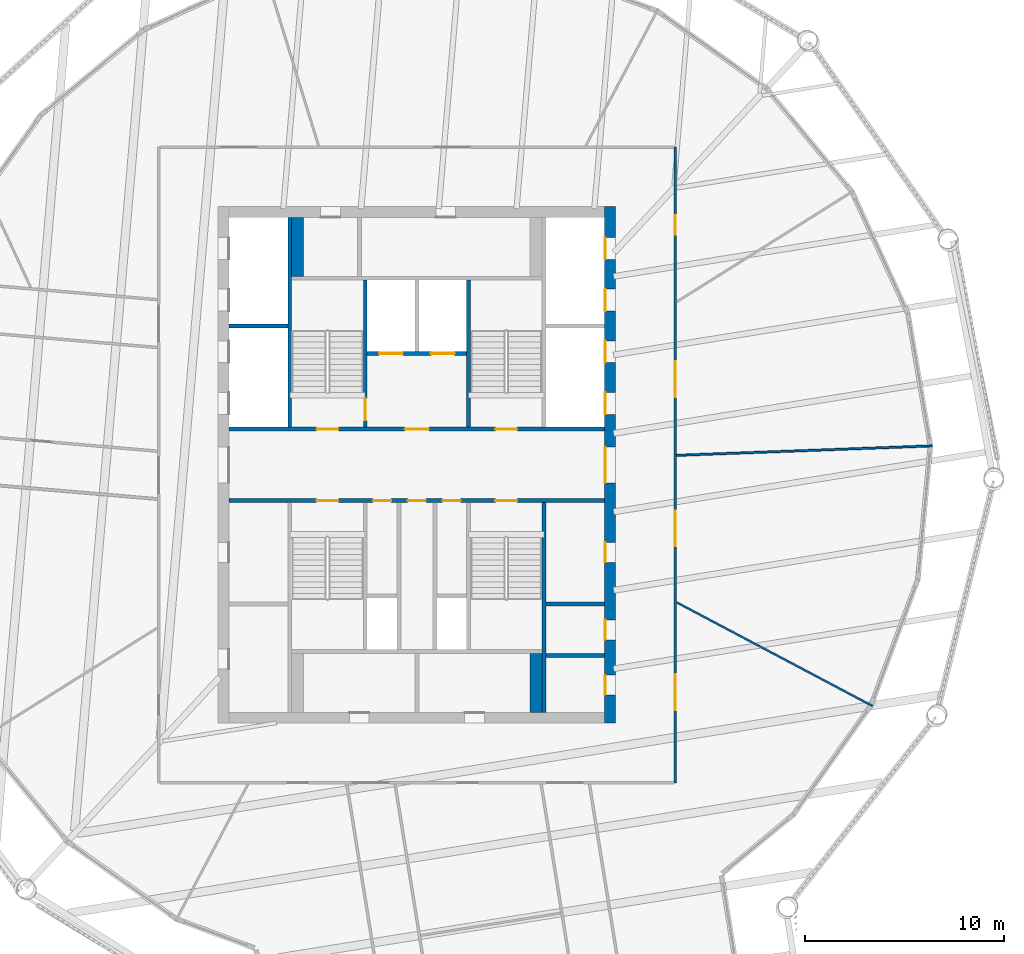
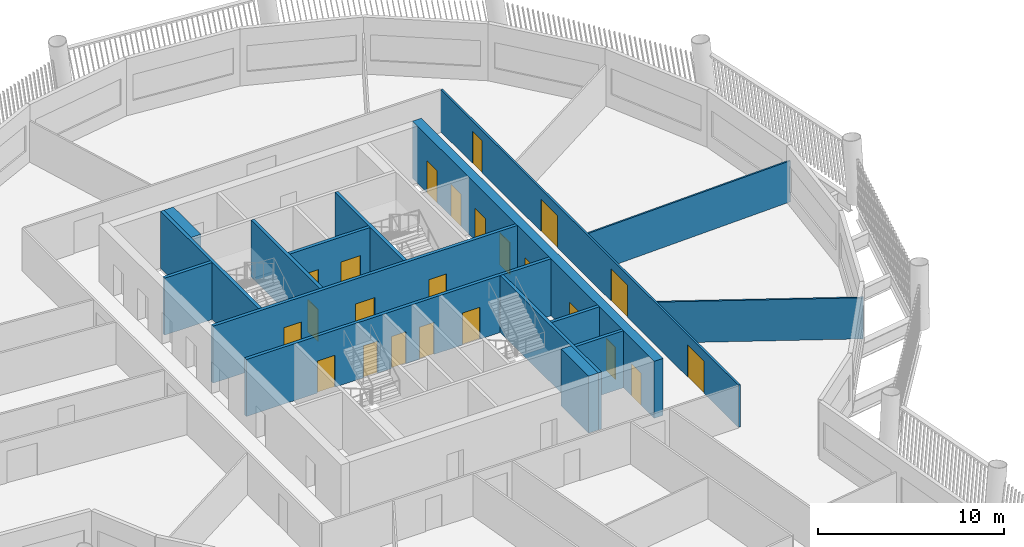
# One storey, part 5 of 14: 23 doors, 16 walls, 23 openings.
"""IFC4 building model written with IfcOpenShell, lengths in metres."""

from ifc_helpers import new_model, si_unit, direction, frame, frame_2d, origin, place, context, subcontext, project, spatial, rectangle, extrude, material, layer, layer_set, type_object, element, fill, save


model = new_model("IFC4")

# Units and contexts
model_context = context("Model", 3, precision=1e-05, world=origin(), true_north=direction((0.0, 1.0)))
body_context = subcontext(model_context, "Body", "Model", "MODEL_VIEW")
ifc_project = project(units=[si_unit("LENGTHUNIT", "METRE"), si_unit("AREAUNIT", "SQUARE_METRE"), si_unit("VOLUMEUNIT", "CUBIC_METRE"), si_unit("PLANEANGLEUNIT", "RADIAN"), si_unit("MASSUNIT", "GRAM", prefix="KILO")], contexts=[model_context])

# Site, building, storey
site_placement = place(None, origin())
site = spatial("IfcSite", under=ifc_project, at=site_placement, CompositionType="ELEMENT")
building_placement = place(site_placement, origin())
building = spatial("IfcBuilding", under=site, at=building_placement, Name="Tarsis Ring Headquarters", CompositionType="ELEMENT")
storey_placement = place(building_placement, frame((0.0, 0.0, 266.89990234375)))
storey = spatial("IfcBuildingStorey", under=building, at=storey_placement, Name="L62", CompositionType="ELEMENT", Elevation=266.89990234375)

# Walls
ifc_material_1 = material(Name="Blockwork", Category="masonry")
ifc_layer_1 = layer(ifc_material_1, 0.199951171875)
ifc_layer_set_1 = layer_set([ifc_layer_1], Name="Core blockwork wall 200")
wall_type_1 = type_object("IfcWallType", Name="Core blockwork wall 200", PredefinedType="PARTITIONING", material=ifc_layer_set_1)
for number, where, z_axis, x_axis, name in (
    (1, (6.5, -9.60009765625, 0.0), (0.0, 0.0, 1.0), (1.0, 0.0, 0.0), "Core partition ED1"),
    (2, (6.5, -7.0, 0.0), (0.0, 0.0, 1.0), (1.0, 0.0, 0.0), "Core partition ED2"),
):
    element("IfcWall", number, at=place(storey_placement, frame(where, z_axis=z_axis, x_axis=x_axis)), inside=storey, type_object=wall_type_1, Name=name, PredefinedType="PARTITIONING", context=body_context, shape_type="SweptSolid", body=[
        extrude(rectangle(XDim=2.949951171875, YDim=0.199951171875, at=frame_2d((1.47509765625, 0.0))), origin(), (0.0, 0.0, 1.0), 3.739990234375),
    ])

# Wall, openings, doors
ifc_material_2 = material(Name="Concrete C50/60", Category="concrete")
ifc_layer_2 = layer(ifc_material_2, 0.550048828125)
ifc_layer_set_2 = layer_set([ifc_layer_2], Name="Core wall 550 C50/60")
wall_type_2 = type_object("IfcWallType", Name="Core wall 550 C50/60", PredefinedType="SHEAR", material=ifc_layer_set_2)
wall_1_placement = place(storey_placement, frame((9.72509765625, -13.0, 0.0), z_axis=(0.0, 0.0, 1.0), x_axis=(0.0, 1.0, 0.0)))
wall_1 = element("IfcWall", 3, at=wall_1_placement, inside=storey, type_object=wall_type_2, Name="Core wall OE", PredefinedType="SHEAR", context=body_context, shape_type="SweptSolid", body=[
    extrude(rectangle(XDim=26.0, YDim=0.550048828125, at=frame_2d((13.0, 0.0))), origin(), (0.0, 0.0, 1.0), 3.739990234375),
])
opening_1_placement = place(wall_1_placement, frame((1.425048828125, 0.0, 0.0)))
opening_1 = element("IfcOpeningElement", 4, at=opening_1_placement, cuts=wall_1, Name="Opening L62-C08", PredefinedType="OPENING", context=body_context, shape_type="SweptSolid", body=[
    extrude(rectangle(XDim=1.0, YDim=2.10009765625, at=frame_2d((0.5, 1.050048828125))), frame((0.0, 0.284912109375, 0.0), z_axis=(0.0, -1.0, 0.0), x_axis=(1.0, 0.0, 0.0)), (0.0, 0.0, 1.0), 0.570068359375),
])
opening_2_placement = place(wall_1_placement, frame((4.199951171875, 0.0, 0.0)))
opening_2 = element("IfcOpeningElement", 5, at=opening_2_placement, cuts=wall_1, Name="Opening L62-C09", PredefinedType="OPENING", context=body_context, shape_type="SweptSolid", body=[
    extrude(rectangle(XDim=1.0, YDim=2.10009765625, at=frame_2d((0.5, 1.050048828125))), frame((0.0, 0.284912109375, 0.0), z_axis=(0.0, -1.0, 0.0), x_axis=(1.0, 0.0, 0.0)), (0.0, 0.0, 1.0), 0.570068359375),
])
opening_3_placement = place(wall_1_placement, frame((8.10009765625, 0.0, 0.0)))
opening_3 = element("IfcOpeningElement", 6, at=opening_3_placement, cuts=wall_1, Name="Opening L62-C10", PredefinedType="OPENING", context=body_context, shape_type="SweptSolid", body=[
    extrude(rectangle(XDim=1.0, YDim=2.10009765625, at=frame_2d((0.5, 1.050048828125))), frame((0.0, 0.284912109375, 0.0), z_axis=(0.0, -1.0, 0.0), x_axis=(1.0, 0.0, 0.0)), (0.0, 0.0, 1.0), 0.570068359375),
])
opening_4_placement = place(wall_1_placement, frame((12.10009765625, 0.0, 0.0)))
opening_4 = element("IfcOpeningElement", 7, at=opening_4_placement, cuts=wall_1, Name="Opening L62-C11", PredefinedType="OPENING", context=body_context, shape_type="SweptSolid", body=[
    extrude(rectangle(XDim=1.800048828125, YDim=2.10009765625, at=frame_2d((0.89990234375, 1.050048828125))), frame((0.0, 0.284912109375, 0.0), z_axis=(0.0, -1.0, 0.0), x_axis=(1.0, 0.0, 0.0)), (0.0, 0.0, 1.0), 0.570068359375),
])
opening_5_placement = place(wall_1_placement, frame((15.550048828125, 0.0, 0.0)))
opening_5 = element("IfcOpeningElement", 8, at=opening_5_placement, cuts=wall_1, Name="Opening LD-HR5", PredefinedType="OPENING", context=body_context, shape_type="SweptSolid", body=[
    extrude(rectangle(XDim=1.10009765625, YDim=2.10009765625, at=frame_2d((0.550048828125, 1.050048828125))), frame((0.0, 0.284912109375, 0.0), z_axis=(0.0, -1.0, 0.0), x_axis=(1.0, 0.0, 0.0)), (0.0, 0.0, 1.0), 0.570068359375),
])
opening_6_placement = place(wall_1_placement, frame((18.14990234375, 0.0, 0.0)))
opening_6 = element("IfcOpeningElement", 9, at=opening_6_placement, cuts=wall_1, Name="Opening LD-HR6", PredefinedType="OPENING", context=body_context, shape_type="SweptSolid", body=[
    extrude(rectangle(XDim=1.10009765625, YDim=2.10009765625, at=frame_2d((0.550048828125, 1.050048828125))), frame((0.0, 0.284912109375, 0.0), z_axis=(0.0, -1.0, 0.0), x_axis=(1.0, 0.0, 0.0)), (0.0, 0.0, 1.0), 0.570068359375),
])
opening_7_placement = place(wall_1_placement, frame((20.75, 0.0, 0.0)))
opening_7 = element("IfcOpeningElement", 10, at=opening_7_placement, cuts=wall_1, Name="Opening LD-HR7", PredefinedType="OPENING", context=body_context, shape_type="SweptSolid", body=[
    extrude(rectangle(XDim=1.10009765625, YDim=2.10009765625, at=frame_2d((0.550048828125, 1.050048828125))), frame((0.0, 0.284912109375, 0.0), z_axis=(0.0, -1.0, 0.0), x_axis=(1.0, 0.0, 0.0)), (0.0, 0.0, 1.0), 0.570068359375),
])
opening_8_placement = place(wall_1_placement, frame((23.35009765625, 0.0, 0.0)))
opening_8 = element("IfcOpeningElement", 11, at=opening_8_placement, cuts=wall_1, Name="Opening LD-HR8", PredefinedType="OPENING", context=body_context, shape_type="SweptSolid", body=[
    extrude(rectangle(XDim=1.10009765625, YDim=2.10009765625, at=frame_2d((0.550048828125, 1.050048828125))), frame((0.0, 0.284912109375, 0.0), z_axis=(0.0, -1.0, 0.0), x_axis=(1.0, 0.0, 0.0)), (0.0, 0.0, 1.0), 0.570068359375),
])
ifc_material_3 = material(Name="Steel S355", Category="steel")
door_type_1 = type_object("IfcDoorType", Name="Core entry door 1800x2100", OperationType="DOUBLE_DOOR_SINGLE_SWING", PredefinedType="DOOR", material=ifc_material_3)
door_1_placement = place(opening_4_placement, origin())
door_1 = element("IfcDoor", 12, at=door_1_placement, inside=storey, type_object=door_type_1, Name="Core entry door L62", OperationType="DOUBLE_DOOR_SINGLE_SWING", OverallHeight=2.10009765625, OverallWidth=1.800048828125, PredefinedType="DOOR", context=body_context, shape_type="SweptSolid", body=[
    extrude(rectangle(XDim=1.800048828125, YDim=2.10009765625, at=frame_2d((0.89990234375, 1.050048828125))), frame((0.0, 0.27490234375, 0.0), z_axis=(0.0, -1.0, 0.0), x_axis=(1.0, 0.0, 0.0)), (0.0, 0.0, 1.0), 0.050048828125),
])
fill(opening_4, door_1)
door_type_2 = type_object("IfcDoorType", Name="Core room door 1000x2100", OperationType="SINGLE_SWING_LEFT", PredefinedType="DOOR", material=ifc_material_3)
door_2_placement = place(opening_1_placement, origin())
door_2 = element("IfcDoor", 13, at=door_2_placement, inside=storey, type_object=door_type_2, Name="Core room door L62", OperationType="SINGLE_SWING_LEFT", OverallHeight=2.10009765625, OverallWidth=1.0, PredefinedType="DOOR", context=body_context, shape_type="SweptSolid", body=[
    extrude(rectangle(XDim=1.0, YDim=2.10009765625, at=frame_2d((0.5, 1.050048828125))), frame((0.0, 0.27490234375, 0.0), z_axis=(0.0, -1.0, 0.0), x_axis=(1.0, 0.0, 0.0)), (0.0, 0.0, 1.0), 0.050048828125),
])
fill(opening_1, door_2)
door_3_placement = place(opening_2_placement, origin())
door_3 = element("IfcDoor", 14, at=door_3_placement, inside=storey, type_object=door_type_2, Name="Core room door L62", OperationType="SINGLE_SWING_LEFT", OverallHeight=2.10009765625, OverallWidth=1.0, PredefinedType="DOOR", context=body_context, shape_type="SweptSolid", body=[
    extrude(rectangle(XDim=1.0, YDim=2.10009765625, at=frame_2d((0.5, 1.050048828125))), frame((0.0, 0.27490234375, 0.0), z_axis=(0.0, -1.0, 0.0), x_axis=(1.0, 0.0, 0.0)), (0.0, 0.0, 1.0), 0.050048828125),
])
fill(opening_2, door_3)
door_4_placement = place(opening_3_placement, origin())
door_4 = element("IfcDoor", 15, at=door_4_placement, inside=storey, type_object=door_type_2, Name="Core room door L62", OperationType="SINGLE_SWING_LEFT", OverallHeight=2.10009765625, OverallWidth=1.0, PredefinedType="DOOR", context=body_context, shape_type="SweptSolid", body=[
    extrude(rectangle(XDim=1.0, YDim=2.10009765625, at=frame_2d((0.5, 1.050048828125))), frame((0.0, 0.27490234375, 0.0), z_axis=(0.0, -1.0, 0.0), x_axis=(1.0, 0.0, 0.0)), (0.0, 0.0, 1.0), 0.050048828125),
])
fill(opening_3, door_4)
door_type_3 = type_object("IfcDoorType", Name="Landing door 1100x2100", OperationType="SLIDING_TO_LEFT", PredefinedType="DOOR", material=ifc_material_3)
door_5_placement = place(opening_5_placement, origin())
door_5 = element("IfcDoor", 16, at=door_5_placement, inside=storey, type_object=door_type_3, Name="Landing door HR5 L62", OperationType="SLIDING_TO_LEFT", OverallHeight=2.10009765625, OverallWidth=1.10009765625, PredefinedType="DOOR", context=body_context, shape_type="SweptSolid", body=[
    extrude(rectangle(XDim=1.10009765625, YDim=2.10009765625, at=frame_2d((0.550048828125, 1.050048828125))), frame((0.0, 0.27490234375, 0.0), z_axis=(0.0, -1.0, 0.0), x_axis=(1.0, 0.0, 0.0)), (0.0, 0.0, 1.0), 0.050048828125),
])
fill(opening_5, door_5)
door_6_placement = place(opening_6_placement, origin())
door_6 = element("IfcDoor", 17, at=door_6_placement, inside=storey, type_object=door_type_3, Name="Landing door HR6 L62", OperationType="SLIDING_TO_LEFT", OverallHeight=2.10009765625, OverallWidth=1.10009765625, PredefinedType="DOOR", context=body_context, shape_type="SweptSolid", body=[
    extrude(rectangle(XDim=1.10009765625, YDim=2.10009765625, at=frame_2d((0.550048828125, 1.050048828125))), frame((0.0, 0.27490234375, 0.0), z_axis=(0.0, -1.0, 0.0), x_axis=(1.0, 0.0, 0.0)), (0.0, 0.0, 1.0), 0.050048828125),
])
fill(opening_6, door_6)
door_7_placement = place(opening_7_placement, origin())
door_7 = element("IfcDoor", 18, at=door_7_placement, inside=storey, type_object=door_type_3, Name="Landing door HR7 L62", OperationType="SLIDING_TO_LEFT", OverallHeight=2.10009765625, OverallWidth=1.10009765625, PredefinedType="DOOR", context=body_context, shape_type="SweptSolid", body=[
    extrude(rectangle(XDim=1.10009765625, YDim=2.10009765625, at=frame_2d((0.550048828125, 1.050048828125))), frame((0.0, 0.27490234375, 0.0), z_axis=(0.0, -1.0, 0.0), x_axis=(1.0, 0.0, 0.0)), (0.0, 0.0, 1.0), 0.050048828125),
])
fill(opening_7, door_7)
door_8_placement = place(opening_8_placement, origin())
door_8 = element("IfcDoor", 19, at=door_8_placement, inside=storey, type_object=door_type_3, Name="Landing door HR8 L62", OperationType="SLIDING_TO_LEFT", OverallHeight=2.10009765625, OverallWidth=1.10009765625, PredefinedType="DOOR", context=body_context, shape_type="SweptSolid", body=[
    extrude(rectangle(XDim=1.10009765625, YDim=2.10009765625, at=frame_2d((0.550048828125, 1.050048828125))), frame((0.0, 0.27490234375, 0.0), z_axis=(0.0, -1.0, 0.0), x_axis=(1.0, 0.0, 0.0)), (0.0, 0.0, 1.0), 0.050048828125),
])
fill(opening_8, door_8)

# Walls
ifc_material_4 = material(Name="Gypsum board on steel studs", Category="steel")
ifc_layer_3 = layer(ifc_material_4, 0.10009765625)
ifc_layer_set_3 = layer_set([ifc_layer_3], Name="FL partition 100 unrated")
wall_type_3 = type_object("IfcWallType", Name="FL partition 100 unrated", PredefinedType="PARTITIONING", material=ifc_layer_set_3)
wall_2_placement = place(storey_placement, frame((13.070068359375, 0.48388671875, 0.0), z_axis=(0.0, 0.0, 1.0), x_axis=(0.999315483316, 0.036994118509, 0.0)))
element("IfcWall", 20, at=wall_2_placement, inside=storey, type_object=wall_type_3, Name="Partition PW3", PredefinedType="PARTITIONING", context=body_context, shape_type="SweptSolid", body=[
    extrude(rectangle(XDim=12.868896484375, YDim=0.10009765625, at=frame_2d((6.4345703125, 0.0))), origin(), (0.0, 0.0, 1.0), 2.7001953125),
])
wall_3_placement = place(storey_placement, frame((13.07958984375, -6.91943359375, 0.0), z_axis=(0.0, 0.0, 1.0), x_axis=(0.883927410523, -0.467624136381, 0.0)))
element("IfcWall", 21, at=wall_3_placement, inside=storey, type_object=wall_type_3, Name="Partition PW3", PredefinedType="PARTITIONING", context=body_context, shape_type="SweptSolid", body=[
    extrude(rectangle(XDim=11.150634765625, YDim=0.10009765625, at=frame_2d((5.5751953125, 0.0))), origin(), (0.0, 0.0, 1.0), 2.7001953125),
])

# Wall, openings, doors
ifc_layer_4 = layer(ifc_material_4, 0.125)
ifc_layer_set_4 = layer_set([ifc_layer_4], Name="FL partition 125 EI 60 H2770")
wall_type_4 = type_object("IfcWallType", Name="FL partition 125 EI 60 H2770", PredefinedType="PARTITIONING", material=ifc_layer_set_4)
wall_4_placement = place(storey_placement, frame((13.0, -16.0, 0.0), z_axis=(0.0, 0.0, 1.0), x_axis=(0.0, 1.0, 0.0)))
wall_4 = element("IfcWall", 22, at=wall_4_placement, inside=storey, type_object=wall_type_4, Name="Partition PW1", PredefinedType="PARTITIONING", context=body_context, shape_type="SweptSolid", body=[
    extrude(rectangle(XDim=32.0, YDim=0.125, at=frame_2d((16.0, 0.0))), origin(), (0.0, 0.0, 1.0), 2.77001953125),
])
opening_9_placement = place(wall_4_placement, frame((27.58056640625, 0.0, 0.0)))
opening_9 = element("IfcOpeningElement", 23, at=opening_9_placement, cuts=wall_4, Name="Opening D62.05", PredefinedType="OPENING", context=body_context, shape_type="SweptSolid", body=[
    extrude(rectangle(XDim=1.0, YDim=2.10009765625, at=frame_2d((0.5, 1.050048828125))), frame((0.0, 0.072509765625, 0.0), z_axis=(0.0, -1.0, 0.0), x_axis=(1.0, 0.0, 0.0)), (0.0, 0.0, 1.0), 0.14501953125),
])
opening_10_placement = place(wall_4_placement, frame((19.421142578125, 0.0, 0.0)))
opening_10 = element("IfcOpeningElement", 24, at=opening_10_placement, cuts=wall_4, Name="Opening D62.06", PredefinedType="OPENING", context=body_context, shape_type="SweptSolid", body=[
    extrude(rectangle(XDim=1.800048828125, YDim=2.10009765625, at=frame_2d((0.89990234375, 1.050048828125))), frame((0.0, 0.072509765625, 0.0), z_axis=(0.0, -1.0, 0.0), x_axis=(1.0, 0.0, 0.0)), (0.0, 0.0, 1.0), 0.14501953125),
])
opening_11_placement = place(wall_4_placement, frame((11.90185546875, 0.0, 0.0)))
opening_11 = element("IfcOpeningElement", 25, at=opening_11_placement, cuts=wall_4, Name="Opening D62.07", PredefinedType="OPENING", context=body_context, shape_type="SweptSolid", body=[
    extrude(rectangle(XDim=1.800048828125, YDim=2.10009765625, at=frame_2d((0.89990234375, 1.050048828125))), frame((0.0, 0.072509765625, 0.0), z_axis=(0.0, -1.0, 0.0), x_axis=(1.0, 0.0, 0.0)), (0.0, 0.0, 1.0), 0.14501953125),
])
opening_12_placement = place(wall_4_placement, frame((3.661376953125, 0.0, 0.0)))
opening_12 = element("IfcOpeningElement", 26, at=opening_12_placement, cuts=wall_4, Name="Opening D62.08", PredefinedType="OPENING", context=body_context, shape_type="SweptSolid", body=[
    extrude(rectangle(XDim=1.800048828125, YDim=2.10009765625, at=frame_2d((0.89990234375, 1.050048828125))), frame((0.0, 0.072509765625, 0.0), z_axis=(0.0, -1.0, 0.0), x_axis=(1.0, 0.0, 0.0)), (0.0, 0.0, 1.0), 0.14501953125),
])
ifc_material_5 = material(Name="Fire-rated timber door leaf in steel frame", Category="steel")
door_type_4 = type_object("IfcDoorType", Name="FL door FD60-1000", OperationType="NOTDEFINED", PredefinedType="DOOR", material=ifc_material_5)
door_9_placement = place(opening_9_placement, origin())
door_9 = element("IfcDoor", 27, at=door_9_placement, inside=storey, type_object=door_type_4, Name="Door D62.05", OperationType="SINGLE_SWING_LEFT", OverallHeight=2.10009765625, OverallWidth=1.0, PredefinedType="DOOR", context=body_context, shape_type="SweptSolid", body=[
    extrude(rectangle(XDim=1.0, YDim=2.10009765625, at=frame_2d((0.5, 1.050048828125))), frame((0.0, 0.02490234375, 0.0), z_axis=(0.0, -1.0, 0.0), x_axis=(1.0, 0.0, 0.0)), (0.0, 0.0, 1.0), 0.050048828125),
])
fill(opening_9, door_9)
door_type_5 = type_object("IfcDoorType", Name="FL door FD60-1800", OperationType="DOUBLE_DOOR_SINGLE_SWING", PredefinedType="DOOR", material=ifc_material_5)
door_10_placement = place(opening_10_placement, origin())
door_10 = element("IfcDoor", 28, at=door_10_placement, inside=storey, type_object=door_type_5, Name="Door D62.06", OperationType="DOUBLE_DOOR_SINGLE_SWING", OverallHeight=2.10009765625, OverallWidth=1.800048828125, PredefinedType="DOOR", context=body_context, shape_type="SweptSolid", body=[
    extrude(rectangle(XDim=1.800048828125, YDim=2.10009765625, at=frame_2d((0.89990234375, 1.050048828125))), frame((0.0, 0.02490234375, 0.0), z_axis=(0.0, -1.0, 0.0), x_axis=(1.0, 0.0, 0.0)), (0.0, 0.0, 1.0), 0.050048828125),
])
fill(opening_10, door_10)
door_11_placement = place(opening_11_placement, origin())
door_11 = element("IfcDoor", 29, at=door_11_placement, inside=storey, type_object=door_type_5, Name="Door D62.07", OperationType="DOUBLE_DOOR_SINGLE_SWING", OverallHeight=2.10009765625, OverallWidth=1.800048828125, PredefinedType="DOOR", context=body_context, shape_type="SweptSolid", body=[
    extrude(rectangle(XDim=1.800048828125, YDim=2.10009765625, at=frame_2d((0.89990234375, 1.050048828125))), frame((0.0, 0.02490234375, 0.0), z_axis=(0.0, -1.0, 0.0), x_axis=(1.0, 0.0, 0.0)), (0.0, 0.0, 1.0), 0.050048828125),
])
fill(opening_11, door_11)
door_12_placement = place(opening_12_placement, origin())
door_12 = element("IfcDoor", 30, at=door_12_placement, inside=storey, type_object=door_type_5, Name="Door D62.08", OperationType="DOUBLE_DOOR_SINGLE_SWING", OverallHeight=2.10009765625, OverallWidth=1.800048828125, PredefinedType="DOOR", context=body_context, shape_type="SweptSolid", body=[
    extrude(rectangle(XDim=1.800048828125, YDim=2.10009765625, at=frame_2d((0.89990234375, 1.050048828125))), frame((0.0, 0.02490234375, 0.0), z_axis=(0.0, -1.0, 0.0), x_axis=(1.0, 0.0, 0.0)), (0.0, 0.0, 1.0), 0.050048828125),
])
fill(opening_12, door_12)

# Walls
ifc_material_6 = material(Name="Concrete C32/40", Category="concrete")
ifc_layer_5 = layer(ifc_material_6, 0.60009765625)
ifc_layer_set_5 = layer_set([ifc_layer_5], Name="Shaft end wall 600 C32/40")
wall_type_5 = type_object("IfcWallType", Name="Shaft end wall 600 C32/40", PredefinedType="SOLIDWALL", material=ifc_layer_set_5)
for number, where, z_axis, x_axis, name in (
    (31, (-6.0, 9.5, 0.0), (0.0, 0.0, 1.0), (0.0, 1.0, 0.0), "Core shaft wall NNE1"),
    (32, (6.0, -12.449951171875, 0.0), (0.0, 0.0, 1.0), (0.0, 1.0, 0.0), "Core shaft wall SNE2"),
):
    element("IfcWall", number, at=place(storey_placement, frame(where, z_axis=z_axis, x_axis=x_axis)), inside=storey, type_object=wall_type_5, Name=name, PredefinedType="SOLIDWALL", context=body_context, shape_type="SweptSolid", body=[
        extrude(rectangle(XDim=2.949951171875, YDim=0.60009765625, at=frame_2d((1.47509765625, 0.0))), origin(), (0.0, 0.0, 1.0), 3.739990234375),
    ])

# Wall, openings, doors
ifc_layer_6 = layer(ifc_material_6, 0.199951171875)
ifc_layer_set_6 = layer_set([ifc_layer_6], Name="Shaft wall 200 C32/40")
wall_type_6 = type_object("IfcWallType", Name="Shaft wall 200 C32/40", PredefinedType="SOLIDWALL", material=ifc_layer_set_6)
wall_5_placement = place(storey_placement, frame((-9.449951171875, 1.800048828125, 0.0), z_axis=(0.0, 0.0, 1.0), x_axis=(1.0, 0.0, 0.0)))
wall_5 = element("IfcWall", 33, at=wall_5_placement, inside=storey, type_object=wall_type_6, Name="Core shaft wall CN", PredefinedType="SOLIDWALL", context=body_context, shape_type="SweptSolid", body=[
    extrude(rectangle(XDim=18.89990234375, YDim=0.199951171875, at=frame_2d((9.449951171875, 0.0))), origin(), (0.0, 0.0, 1.0), 3.739990234375),
])
opening_13_placement = place(wall_5_placement, frame((4.39990234375, 0.0, 0.0)))
opening_13 = element("IfcOpeningElement", 34, at=opening_13_placement, cuts=wall_5, Name="Opening L62-C20", PredefinedType="OPENING", context=body_context, shape_type="SweptSolid", body=[
    extrude(rectangle(XDim=1.10009765625, YDim=2.10009765625, at=frame_2d((0.550048828125, 1.050048828125))), frame((0.0, 0.10986328125, 0.0), z_axis=(0.0, -1.0, 0.0), x_axis=(1.0, 0.0, 0.0)), (0.0, 0.0, 1.0), 0.219970703125),
])
opening_14_placement = place(wall_5_placement, frame((8.85009765625, 0.0, 0.0)))
opening_14 = element("IfcOpeningElement", 35, at=opening_14_placement, cuts=wall_5, Name="Opening L62-C21", PredefinedType="OPENING", context=body_context, shape_type="SweptSolid", body=[
    extrude(rectangle(XDim=1.199951171875, YDim=2.10009765625, at=frame_2d((0.60009765625, 1.050048828125))), frame((0.0, 0.10986328125, 0.0), z_axis=(0.0, -1.0, 0.0), x_axis=(1.0, 0.0, 0.0)), (0.0, 0.0, 1.0), 0.219970703125),
])
opening_15_placement = place(wall_5_placement, frame((13.39990234375, 0.0, 0.0)))
opening_15 = element("IfcOpeningElement", 36, at=opening_15_placement, cuts=wall_5, Name="Opening L62-C22", PredefinedType="OPENING", context=body_context, shape_type="SweptSolid", body=[
    extrude(rectangle(XDim=1.10009765625, YDim=2.10009765625, at=frame_2d((0.550048828125, 1.050048828125))), frame((0.0, 0.10986328125, 0.0), z_axis=(0.0, -1.0, 0.0), x_axis=(1.0, 0.0, 0.0)), (0.0, 0.0, 1.0), 0.219970703125),
])
door_type_6 = type_object("IfcDoorType", Name="Firefighting lobby door 1200x2100", OperationType="DOUBLE_DOOR_SINGLE_SWING", PredefinedType="DOOR", material=ifc_material_3)
door_13_placement = place(opening_14_placement, origin())
door_13 = element("IfcDoor", 37, at=door_13_placement, inside=storey, type_object=door_type_6, Name="Firefighting lobby door L62", OperationType="DOUBLE_DOOR_SINGLE_SWING", OverallHeight=2.10009765625, OverallWidth=1.199951171875, PredefinedType="DOOR", context=body_context, shape_type="SweptSolid", body=[
    extrude(rectangle(XDim=1.199951171875, YDim=2.10009765625, at=frame_2d((0.60009765625, 1.050048828125))), frame((0.0, 0.02490234375, 0.0), z_axis=(0.0, -1.0, 0.0), x_axis=(1.0, 0.0, 0.0)), (0.0, 0.0, 1.0), 0.050048828125),
])
fill(opening_14, door_13)
door_type_7 = type_object("IfcDoorType", Name="Stair door 1100x2100", OperationType="SINGLE_SWING_LEFT", PredefinedType="DOOR", material=ifc_material_3)
door_14_placement = place(opening_13_placement, origin())
door_14 = element("IfcDoor", 38, at=door_14_placement, inside=storey, type_object=door_type_7, Name="Stair door L62", OperationType="SINGLE_SWING_LEFT", OverallHeight=2.10009765625, OverallWidth=1.10009765625, PredefinedType="DOOR", context=body_context, shape_type="SweptSolid", body=[
    extrude(rectangle(XDim=1.10009765625, YDim=2.10009765625, at=frame_2d((0.550048828125, 1.050048828125))), frame((0.0, 0.02490234375, 0.0), z_axis=(0.0, -1.0, 0.0), x_axis=(1.0, 0.0, 0.0)), (0.0, 0.0, 1.0), 0.050048828125),
])
fill(opening_13, door_14)
door_15_placement = place(opening_15_placement, origin())
door_15 = element("IfcDoor", 39, at=door_15_placement, inside=storey, type_object=door_type_7, Name="Stair door L62", OperationType="SINGLE_SWING_LEFT", OverallHeight=2.10009765625, OverallWidth=1.10009765625, PredefinedType="DOOR", context=body_context, shape_type="SweptSolid", body=[
    extrude(rectangle(XDim=1.10009765625, YDim=2.10009765625, at=frame_2d((0.550048828125, 1.050048828125))), frame((0.0, 0.02490234375, 0.0), z_axis=(0.0, -1.0, 0.0), x_axis=(1.0, 0.0, 0.0)), (0.0, 0.0, 1.0), 0.050048828125),
])
fill(opening_15, door_15)

wall_6_placement = place(storey_placement, frame((-9.449951171875, -1.800048828125, 0.0), z_axis=(0.0, 0.0, 1.0), x_axis=(1.0, 0.0, 0.0)))
wall_6 = element("IfcWall", 40, at=wall_6_placement, inside=storey, type_object=wall_type_6, Name="Core shaft wall CS", PredefinedType="SOLIDWALL", context=body_context, shape_type="SweptSolid", body=[
    extrude(rectangle(XDim=18.89990234375, YDim=0.199951171875, at=frame_2d((9.449951171875, 0.0))), origin(), (0.0, 0.0, 1.0), 3.739990234375),
])
opening_16_placement = place(wall_6_placement, frame((4.39990234375, 0.0, 0.0)))
opening_16 = element("IfcOpeningElement", 41, at=opening_16_placement, cuts=wall_6, Name="Opening L62-C23", PredefinedType="OPENING", context=body_context, shape_type="SweptSolid", body=[
    extrude(rectangle(XDim=1.10009765625, YDim=2.10009765625, at=frame_2d((0.550048828125, 1.050048828125))), frame((0.0, 0.10986328125, 0.0), z_axis=(0.0, -1.0, 0.0), x_axis=(1.0, 0.0, 0.0)), (0.0, 0.0, 1.0), 0.219970703125),
])
opening_17_placement = place(wall_6_placement, frame((7.25, 0.0, 0.0)))
opening_17 = element("IfcOpeningElement", 42, at=opening_17_placement, cuts=wall_6, Name="Opening L62-C24", PredefinedType="OPENING", context=body_context, shape_type="SweptSolid", body=[
    extrude(rectangle(XDim=0.89990234375, YDim=2.10009765625, at=frame_2d((0.449951171875, 1.050048828125))), frame((0.0, 0.10986328125, 0.0), z_axis=(0.0, -1.0, 0.0), x_axis=(1.0, 0.0, 0.0)), (0.0, 0.0, 1.0), 0.219970703125),
])
opening_18_placement = place(wall_6_placement, frame((9.0, 0.0, 0.0)))
opening_18 = element("IfcOpeningElement", 43, at=opening_18_placement, cuts=wall_6, Name="Opening L62-C25", PredefinedType="OPENING", context=body_context, shape_type="SweptSolid", body=[
    extrude(rectangle(XDim=0.89990234375, YDim=2.10009765625, at=frame_2d((0.449951171875, 1.050048828125))), frame((0.0, 0.10986328125, 0.0), z_axis=(0.0, -1.0, 0.0), x_axis=(1.0, 0.0, 0.0)), (0.0, 0.0, 1.0), 0.219970703125),
])
opening_19_placement = place(wall_6_placement, frame((10.75, 0.0, 0.0)))
opening_19 = element("IfcOpeningElement", 44, at=opening_19_placement, cuts=wall_6, Name="Opening L62-C26", PredefinedType="OPENING", context=body_context, shape_type="SweptSolid", body=[
    extrude(rectangle(XDim=0.89990234375, YDim=2.10009765625, at=frame_2d((0.449951171875, 1.050048828125))), frame((0.0, 0.10986328125, 0.0), z_axis=(0.0, -1.0, 0.0), x_axis=(1.0, 0.0, 0.0)), (0.0, 0.0, 1.0), 0.219970703125),
])
opening_20_placement = place(wall_6_placement, frame((13.39990234375, 0.0, 0.0)))
opening_20 = element("IfcOpeningElement", 45, at=opening_20_placement, cuts=wall_6, Name="Opening L62-C27", PredefinedType="OPENING", context=body_context, shape_type="SweptSolid", body=[
    extrude(rectangle(XDim=1.10009765625, YDim=2.10009765625, at=frame_2d((0.550048828125, 1.050048828125))), frame((0.0, 0.10986328125, 0.0), z_axis=(0.0, -1.0, 0.0), x_axis=(1.0, 0.0, 0.0)), (0.0, 0.0, 1.0), 0.219970703125),
])
door_16_placement = place(opening_16_placement, origin())
door_16 = element("IfcDoor", 46, at=door_16_placement, inside=storey, type_object=door_type_7, Name="Stair door L62", OperationType="SINGLE_SWING_LEFT", OverallHeight=2.10009765625, OverallWidth=1.10009765625, PredefinedType="DOOR", context=body_context, shape_type="SweptSolid", body=[
    extrude(rectangle(XDim=1.10009765625, YDim=2.10009765625, at=frame_2d((0.550048828125, 1.050048828125))), frame((0.0, 0.02490234375, 0.0), z_axis=(0.0, -1.0, 0.0), x_axis=(1.0, 0.0, 0.0)), (0.0, 0.0, 1.0), 0.050048828125),
])
fill(opening_16, door_16)
door_17_placement = place(opening_20_placement, origin())
door_17 = element("IfcDoor", 47, at=door_17_placement, inside=storey, type_object=door_type_7, Name="Stair door L62", OperationType="SINGLE_SWING_LEFT", OverallHeight=2.10009765625, OverallWidth=1.10009765625, PredefinedType="DOOR", context=body_context, shape_type="SweptSolid", body=[
    extrude(rectangle(XDim=1.10009765625, YDim=2.10009765625, at=frame_2d((0.550048828125, 1.050048828125))), frame((0.0, 0.02490234375, 0.0), z_axis=(0.0, -1.0, 0.0), x_axis=(1.0, 0.0, 0.0)), (0.0, 0.0, 1.0), 0.050048828125),
])
fill(opening_20, door_17)
door_type_8 = type_object("IfcDoorType", Name="WC door 900x2100", OperationType="SINGLE_SWING_LEFT", PredefinedType="DOOR", material=ifc_material_3)
door_18_placement = place(opening_17_placement, origin())
door_18 = element("IfcDoor", 48, at=door_18_placement, inside=storey, type_object=door_type_8, Name="WC door L62", OperationType="SINGLE_SWING_LEFT", OverallHeight=2.10009765625, OverallWidth=0.89990234375, PredefinedType="DOOR", context=body_context, shape_type="SweptSolid", body=[
    extrude(rectangle(XDim=0.89990234375, YDim=2.10009765625, at=frame_2d((0.449951171875, 1.050048828125))), frame((0.0, 0.02490234375, 0.0), z_axis=(0.0, -1.0, 0.0), x_axis=(1.0, 0.0, 0.0)), (0.0, 0.0, 1.0), 0.050048828125),
])
fill(opening_17, door_18)
door_19_placement = place(opening_18_placement, origin())
door_19 = element("IfcDoor", 49, at=door_19_placement, inside=storey, type_object=door_type_8, Name="WC door L62", OperationType="SINGLE_SWING_LEFT", OverallHeight=2.10009765625, OverallWidth=0.89990234375, PredefinedType="DOOR", context=body_context, shape_type="SweptSolid", body=[
    extrude(rectangle(XDim=0.89990234375, YDim=2.10009765625, at=frame_2d((0.449951171875, 1.050048828125))), frame((0.0, 0.02490234375, 0.0), z_axis=(0.0, -1.0, 0.0), x_axis=(1.0, 0.0, 0.0)), (0.0, 0.0, 1.0), 0.050048828125),
])
fill(opening_18, door_19)
door_20_placement = place(opening_19_placement, origin())
door_20 = element("IfcDoor", 50, at=door_20_placement, inside=storey, type_object=door_type_8, Name="WC door L62", OperationType="SINGLE_SWING_LEFT", OverallHeight=2.10009765625, OverallWidth=0.89990234375, PredefinedType="DOOR", context=body_context, shape_type="SweptSolid", body=[
    extrude(rectangle(XDim=0.89990234375, YDim=2.10009765625, at=frame_2d((0.449951171875, 1.050048828125))), frame((0.0, 0.02490234375, 0.0), z_axis=(0.0, -1.0, 0.0), x_axis=(1.0, 0.0, 0.0)), (0.0, 0.0, 1.0), 0.050048828125),
])
fill(opening_19, door_20)

# Walls
for number, where, z_axis, x_axis, name in (
    (51, (-6.39990234375, 1.89990234375, 0.0), (0.0, 0.0, 1.0), (0.0, 1.0, 0.0), "Core shaft wall WB2"),
    (52, (6.39990234375, -12.449951171875, 0.0), (0.0, 0.0, 1.0), (0.0, 1.0, 0.0), "Core shaft wall EB1"),
):
    element("IfcWall", number, at=place(storey_placement, frame(where, z_axis=z_axis, x_axis=x_axis)), inside=storey, type_object=wall_type_6, Name=name, PredefinedType="SOLIDWALL", context=body_context, shape_type="SweptSolid", body=[
        extrude(rectangle(XDim=10.550048828125, YDim=0.199951171875, at=frame_2d((5.27490234375, 0.0))), origin(), (0.0, 0.0, 1.0), 3.739990234375),
    ])

# Wall, opening, door
wall_7_placement = place(storey_placement, frame((-2.60009765625, 1.89990234375, 0.0), z_axis=(0.0, 0.0, 1.0), x_axis=(0.0, 1.0, 0.0)))
wall_7 = element("IfcWall", 53, at=wall_7_placement, inside=storey, type_object=wall_type_6, Name="Core shaft wall SW1", PredefinedType="SOLIDWALL", context=body_context, shape_type="SweptSolid", body=[
    extrude(rectangle(XDim=7.400146484375, YDim=0.199951171875, at=frame_2d((3.7001953125, 0.0))), origin(), (0.0, 0.0, 1.0), 3.739990234375),
])
opening_21_placement = place(wall_7_placement, frame((0.35009765625, 0.0, 0.0)))
opening_21 = element("IfcOpeningElement", 54, at=opening_21_placement, cuts=wall_7, Name="Opening L62-C28", PredefinedType="OPENING", context=body_context, shape_type="SweptSolid", body=[
    extrude(rectangle(XDim=1.10009765625, YDim=2.10009765625, at=frame_2d((0.550048828125, 1.050048828125))), frame((0.0, 0.10986328125, 0.0), z_axis=(0.0, -1.0, 0.0), x_axis=(1.0, 0.0, 0.0)), (0.0, 0.0, 1.0), 0.219970703125),
])
door_21_placement = place(opening_21_placement, origin())
door_21 = element("IfcDoor", 55, at=door_21_placement, inside=storey, type_object=door_type_7, Name="Stair door L62", OperationType="SINGLE_SWING_LEFT", OverallHeight=2.10009765625, OverallWidth=1.10009765625, PredefinedType="DOOR", context=body_context, shape_type="SweptSolid", body=[
    extrude(rectangle(XDim=1.10009765625, YDim=2.10009765625, at=frame_2d((0.550048828125, 1.050048828125))), frame((0.0, 0.02490234375, 0.0), z_axis=(0.0, -1.0, 0.0), x_axis=(1.0, 0.0, 0.0)), (0.0, 0.0, 1.0), 0.050048828125),
])
fill(opening_21, door_21)

# Wall
wall_8_placement = place(storey_placement, frame((2.60009765625, 1.89990234375, 0.0), z_axis=(0.0, 0.0, 1.0), x_axis=(0.0, 1.0, 0.0)))
element("IfcWall", 56, at=wall_8_placement, inside=storey, type_object=wall_type_6, Name="Core shaft wall SW2", PredefinedType="SOLIDWALL", context=body_context, shape_type="SweptSolid", body=[
    extrude(rectangle(XDim=7.400146484375, YDim=0.199951171875, at=frame_2d((3.7001953125, 0.0))), origin(), (0.0, 0.0, 1.0), 3.739990234375),
])

# Wall, openings, doors
wall_9_placement = place(storey_placement, frame((-2.5, 5.60009765625, 0.0), z_axis=(0.0, 0.0, 1.0), x_axis=(1.0, 0.0, 0.0)))
wall_9 = element("IfcWall", 57, at=wall_9_placement, inside=storey, type_object=wall_type_6, Name="Core shaft wall FFN", PredefinedType="SOLIDWALL", context=body_context, shape_type="SweptSolid", body=[
    extrude(rectangle(XDim=5.0, YDim=0.199951171875, at=frame_2d((2.5, 0.0))), origin(), (0.0, 0.0, 1.0), 3.739990234375),
])
opening_22_placement = place(wall_9_placement, frame((0.60009765625, 0.0, 0.0)))
opening_22 = element("IfcOpeningElement", 58, at=opening_22_placement, cuts=wall_9, Name="Opening LDF-1", PredefinedType="OPENING", context=body_context, shape_type="SweptSolid", body=[
    extrude(rectangle(XDim=1.199951171875, YDim=2.10009765625, at=frame_2d((0.60009765625, 1.050048828125))), frame((0.0, 0.10986328125, 0.0), z_axis=(0.0, -1.0, 0.0), x_axis=(1.0, 0.0, 0.0)), (0.0, 0.0, 1.0), 0.219970703125),
])
opening_23_placement = place(wall_9_placement, frame((3.199951171875, 0.0, 0.0)))
opening_23 = element("IfcOpeningElement", 59, at=opening_23_placement, cuts=wall_9, Name="Opening LDF-2", PredefinedType="OPENING", context=body_context, shape_type="SweptSolid", body=[
    extrude(rectangle(XDim=1.199951171875, YDim=2.10009765625, at=frame_2d((0.60009765625, 1.050048828125))), frame((0.0, 0.10986328125, 0.0), z_axis=(0.0, -1.0, 0.0), x_axis=(1.0, 0.0, 0.0)), (0.0, 0.0, 1.0), 0.219970703125),
])
door_type_9 = type_object("IfcDoorType", Name="Firefighting landing door 1200x2100", OperationType="SLIDING_TO_LEFT", PredefinedType="DOOR", material=ifc_material_3)
door_22_placement = place(opening_22_placement, origin())
door_22 = element("IfcDoor", 60, at=door_22_placement, inside=storey, type_object=door_type_9, Name="Landing door FF1 L62", OperationType="SLIDING_TO_LEFT", OverallHeight=2.10009765625, OverallWidth=1.199951171875, PredefinedType="DOOR", context=body_context, shape_type="SweptSolid", body=[
    extrude(rectangle(XDim=1.199951171875, YDim=2.10009765625, at=frame_2d((0.60009765625, 1.050048828125))), frame((0.0, 0.02490234375, 0.0), z_axis=(0.0, -1.0, 0.0), x_axis=(1.0, 0.0, 0.0)), (0.0, 0.0, 1.0), 0.050048828125),
])
fill(opening_22, door_22)
door_23_placement = place(opening_23_placement, origin())
door_23 = element("IfcDoor", 61, at=door_23_placement, inside=storey, type_object=door_type_9, Name="Landing door FF2 L62", OperationType="SLIDING_TO_LEFT", OverallHeight=2.10009765625, OverallWidth=1.199951171875, PredefinedType="DOOR", context=body_context, shape_type="SweptSolid", body=[
    extrude(rectangle(XDim=1.199951171875, YDim=2.10009765625, at=frame_2d((0.60009765625, 1.050048828125))), frame((0.0, 0.02490234375, 0.0), z_axis=(0.0, -1.0, 0.0), x_axis=(1.0, 0.0, 0.0)), (0.0, 0.0, 1.0), 0.050048828125),
])
fill(opening_23, door_23)

# Wall
wall_10_placement = place(storey_placement, frame((-9.449951171875, 7.0, 0.0), z_axis=(0.0, 0.0, 1.0), x_axis=(1.0, 0.0, 0.0)))
element("IfcWall", 62, at=wall_10_placement, inside=storey, type_object=wall_type_6, Name="Core shaft wall WD6", PredefinedType="SOLIDWALL", context=body_context, shape_type="SweptSolid", body=[
    extrude(rectangle(XDim=2.949951171875, YDim=0.199951171875, at=frame_2d((1.47509765625, 0.0))), origin(), (0.0, 0.0, 1.0), 3.739990234375),
])

save(model, "model.ifc")
